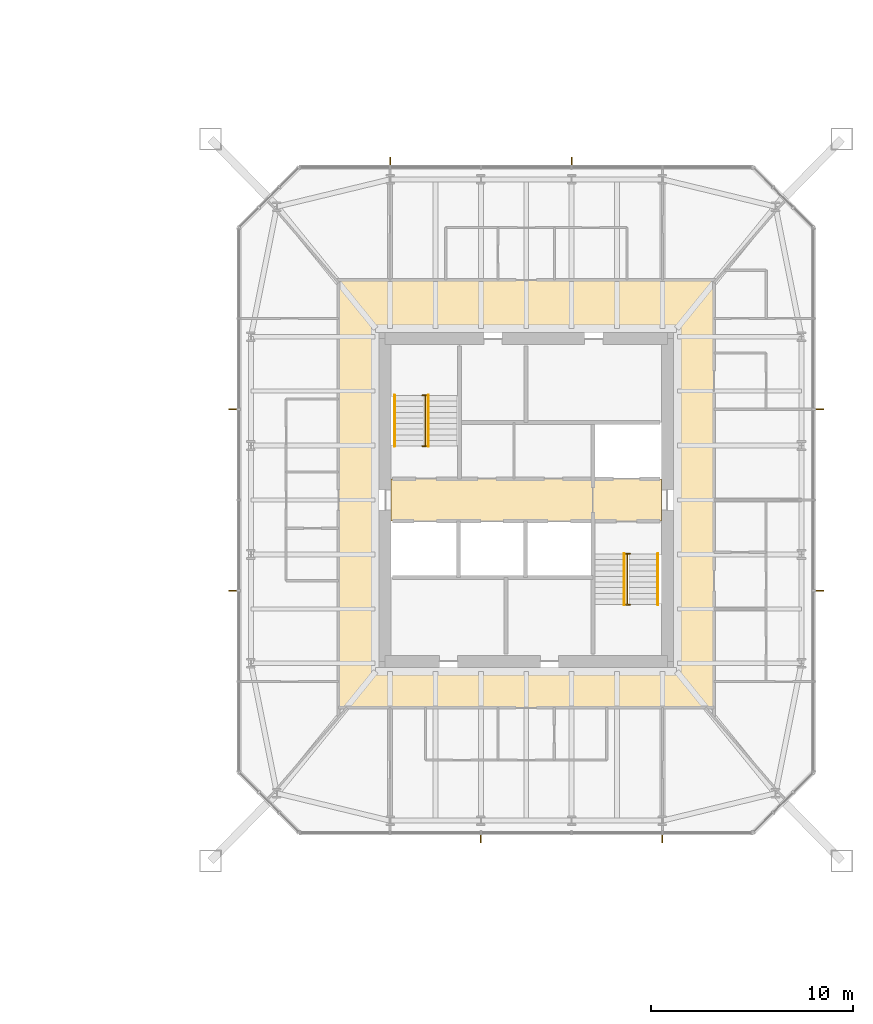
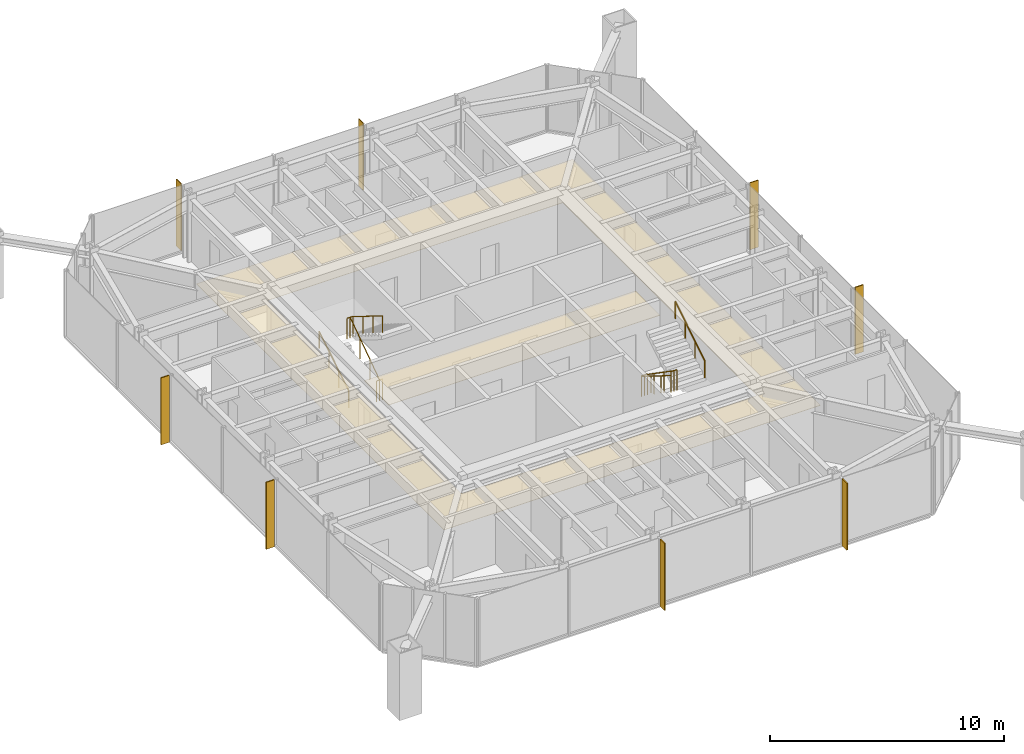
# One storey, part 25 of 25: 8 shading devices, 6 railings, 3 coverings.
"""IFC4 building model written with IfcOpenShell, lengths in metres."""

from ifc_helpers import new_model, si_unit, direction, frame, origin, origin_2d, place, context, subcontext, project, spatial, polyline, rectangle, circle, outline, extrude, material, layer, layer_set, constituent, constituent_set, type_object, element, save


model = new_model("IFC4")

# Units and contexts
model_context = context("Model", 3, precision=1e-05, world=origin(), true_north=direction((0.0, 1.0)))
body_context = subcontext(model_context, "Body", "Model", "MODEL_VIEW")
ifc_project = project(units=[si_unit("LENGTHUNIT", "METRE"), si_unit("AREAUNIT", "SQUARE_METRE"), si_unit("VOLUMEUNIT", "CUBIC_METRE"), si_unit("PLANEANGLEUNIT", "RADIAN"), si_unit("MASSUNIT", "GRAM", prefix="KILO")], contexts=[model_context])

# Site, building, storey
site_placement = place(None, origin())
site = spatial("IfcSite", under=ifc_project, at=site_placement, CompositionType="ELEMENT")
building_placement = place(site_placement, origin())
building = spatial("IfcBuilding", under=site, at=building_placement, Name="Iwan Alto Co-Living Towers", CompositionType="ELEMENT")
storey_placement = place(building_placement, frame((0.0, 0.0, 105.0)))
storey = spatial("IfcBuildingStorey", under=building, at=storey_placement, Name="L28", CompositionType="ELEMENT", Elevation=105.0)

# Coverings
ifc_material_1 = material(Name="Mineral fibre acoustic tiles on steel grid", Category="steel")
ifc_layer_1 = layer(ifc_material_1, 0.02001953125)
ifc_layer_set_1 = layer_set([ifc_layer_1], Name="ACOUSTIC TILE CEILING 20")
covering_type_1 = type_object("IfcCoveringType", Name="ACOUSTIC TILE CEILING 20", PredefinedType="CEILING", material=ifc_layer_set_1)
covering_1_placement = place(storey_placement, frame((0.0, 0.0, 2.60009765625)))
element("IfcCovering", 1, at=covering_1_placement, inside=storey, type_object=covering_type_1, Name="Ceiling Lift lobby L28", PredefinedType="CEILING", context=body_context, shape_type="SweptSolid", body=[
    extrude(outline(polyline([(56.300048828125, -1.050048828125), (56.300048828125, 1.050048828125), (66.300048828125, 1.050048828125), (66.300048828125, -1.050048828125), (56.300048828125, -1.050048828125)])), origin(), (0.0, 0.0, 1.0), 0.02001953125),
])
covering_2_placement = place(storey_placement, frame((0.0, 0.0, 2.60009765625)))
element("IfcCovering", 2, at=covering_2_placement, inside=storey, type_object=covering_type_1, Name="Ceiling Firefighting lobby L28", PredefinedType="CEILING", context=body_context, shape_type="SweptSolid", body=[
    extrude(outline(polyline([(66.300048828125, -1.050048828125), (66.300048828125, 1.050048828125), (69.699951171875, 1.050048828125), (69.699951171875, -1.050048828125), (66.300048828125, -1.050048828125)])), origin(), (0.0, 0.0, 1.0), 0.02001953125),
])

# Shading devices
ifc_material_2 = material(Name="Aluminium 6063-T6 bronze anodised", Category="aluminium")
ifc_layer_2 = layer(ifc_material_2, 0.050048828125)
ifc_layer_set_2 = layer_set([ifc_layer_2], Name="BRONZE FIN 50X400")
shading_device_type = type_object("IfcShadingDeviceType", Name="BRONZE FIN 50X400", PredefinedType="USERDEFINED", material=ifc_layer_set_2)
for number, where, z_axis, x_axis, name in (
    (3, (60.75, -16.800048828125, 0.0), (0.0, 0.0, 1.0), (1.0, 0.0, 0.0), "Bronze fin L28"),
    (4, (69.75, -16.800048828125, 0.0), (0.0, 0.0, 1.0), (1.0, 0.0, 0.0), "Bronze fin L28"),
    (5, (77.550048828125, -4.5, 0.0), (0.0, 0.0, 1.0), (0.0, 1.0, 0.0), "Bronze fin L28"),
    (6, (77.550048828125, 4.5, 0.0), (0.0, 0.0, 1.0), (0.0, 1.0, 0.0), "Bronze fin L28"),
    (7, (65.25, 16.800048828125, 0.0), (0.0, 0.0, 1.0), (-1.0, 0.0, 0.0), "Bronze fin L28"),
    (8, (56.25, 16.800048828125, 0.0), (0.0, 0.0, 1.0), (-1.0, 0.0, 0.0), "Bronze fin L28"),
    (9, (48.449951171875, 4.5, 0.0), (0.0, 0.0, 1.0), (0.0, -1.0, 0.0), "Bronze fin L28"),
    (10, (48.449951171875, -4.5, 0.0), (0.0, 0.0, 1.0), (0.0, -1.0, 0.0), "Bronze fin L28"),
):
    element("IfcShadingDevice", number, at=place(storey_placement, frame(where, z_axis=z_axis, x_axis=x_axis)), inside=storey, type_object=shading_device_type, Name=name, ObjectType="LOUVER", PredefinedType="USERDEFINED", context=body_context, shape_type="SweptSolid", body=[
        extrude(rectangle(XDim=0.050048828125, YDim=0.39990234375, at=origin_2d()), origin(), (0.0, 0.0, 1.0), 3.5),
    ])

# Railings
ifc_material_3 = material(Name="Steel ASTM A500 Gr C", Category="steel")
ifc_constituent_1 = constituent(ifc_material_3, Name="Rails and posts", Category="Framing")
ifc_material_4 = material(Name="Steel ASTM A36", Category="steel")
ifc_constituent_2 = constituent(ifc_material_4, Name="Bar infill", Category="Infill")
ifc_constituent_set = constituent_set(constituents=[ifc_constituent_1, ifc_constituent_2], Name="STAIR GUARD 1100")
railing_type_1 = type_object("IfcRailingType", Name="STAIR GUARD 1100", PredefinedType="GUARDRAIL", material=ifc_constituent_set)
railing_1_placement = place(storey_placement, frame((58.0, 2.669921875, 0.0)))
element("IfcRailing", 11, at=railing_1_placement, inside=storey, type_object=railing_type_1, Name="Stair T2-S1 well guard L28", PredefinedType="GUARDRAIL", context=body_context, shape_type="SweptSolid", body=[
    extrude(circle(Radius=0.02392578125, at=origin_2d()), frame((0.0, 0.0, 1.076171875), z_axis=(0.0, 0.821372036852, 0.570392826987), x_axis=(-1.0, 0.0, 0.0)), (0.0, 0.0, 1.0), 3.068115234375),
    extrude(circle(Radius=0.02392578125, at=origin_2d()), frame((-0.14990234375, 0.0, 1.076171875), z_axis=(1.0, 0.0, 0.0), x_axis=(0.0, 1.0, 0.0)), (0.0, 0.0, 1.0), 0.2998046875),
    extrude(circle(Radius=0.02392578125, at=origin_2d()), frame((-0.14990234375, 2.52001953125, 2.826171875), z_axis=(1.0, 0.0, 0.0), x_axis=(0.0, 1.0, 0.0)), (0.0, 0.0, 1.0), 0.2998046875),
    extrude(circle(Radius=0.02099609375, at=origin_2d()), origin(), (0.0, 0.0, 1.0), 1.052001953125),
    extrude(circle(Radius=0.02099609375, at=origin_2d()), frame((0.0, 0.840087890625, 0.583251953125)), (0.0, 0.0, 1.0), 1.052001953125),
    extrude(circle(Radius=0.02099609375, at=origin_2d()), frame((0.0, 1.679931640625, 1.166748046875)), (0.0, 0.0, 1.0), 1.052001953125),
    extrude(circle(Radius=0.02099609375, at=origin_2d()), frame((0.0, 2.52001953125, 1.75)), (0.0, 0.0, 1.0), 1.052001953125),
    extrude(circle(Radius=0.02099609375, at=origin_2d()), frame((-0.14990234375, 0.0, 0.0)), (0.0, 0.0, 1.0), 1.052001953125),
    extrude(circle(Radius=0.02099609375, at=origin_2d()), frame((0.14990234375, 0.0, 0.0)), (0.0, 0.0, 1.0), 1.052001953125),
    extrude(circle(Radius=0.02099609375, at=origin_2d()), frame((-0.14990234375, 2.52001953125, 1.75)), (0.0, 0.0, 1.0), 1.052001953125),
    extrude(circle(Radius=0.02099609375, at=origin_2d()), frame((0.14990234375, 2.52001953125, 1.75)), (0.0, 0.0, 1.0), 1.052001953125),
])
railing_2_placement = place(storey_placement, frame((68.0, -2.669921875, 0.0)))
element("IfcRailing", 12, at=railing_2_placement, inside=storey, type_object=railing_type_1, Name="Stair T2-S2 well guard L28", PredefinedType="GUARDRAIL", context=body_context, shape_type="SweptSolid", body=[
    extrude(circle(Radius=0.02392578125, at=origin_2d()), frame((0.0, 0.0, 1.076171875), z_axis=(0.0, -0.821372036852, 0.570392826987), x_axis=(1.0, 0.0, 0.0)), (0.0, 0.0, 1.0), 3.068115234375),
    extrude(circle(Radius=0.02392578125, at=origin_2d()), frame((-0.14990234375, 0.0, 1.076171875), z_axis=(1.0, 0.0, 0.0), x_axis=(0.0, 1.0, 0.0)), (0.0, 0.0, 1.0), 0.2998046875),
    extrude(circle(Radius=0.02392578125, at=origin_2d()), frame((-0.14990234375, -2.52001953125, 2.826171875), z_axis=(1.0, 0.0, 0.0), x_axis=(0.0, 1.0, 0.0)), (0.0, 0.0, 1.0), 0.2998046875),
    extrude(circle(Radius=0.02099609375, at=origin_2d()), origin(), (0.0, 0.0, 1.0), 1.052001953125),
    extrude(circle(Radius=0.02099609375, at=origin_2d()), frame((0.0, -0.840087890625, 0.583251953125)), (0.0, 0.0, 1.0), 1.052001953125),
    extrude(circle(Radius=0.02099609375, at=origin_2d()), frame((0.0, -1.679931640625, 1.166748046875)), (0.0, 0.0, 1.0), 1.052001953125),
    extrude(circle(Radius=0.02099609375, at=origin_2d()), frame((0.0, -2.52001953125, 1.75)), (0.0, 0.0, 1.0), 1.052001953125),
    extrude(circle(Radius=0.02099609375, at=origin_2d()), frame((-0.14990234375, 0.0, 0.0)), (0.0, 0.0, 1.0), 1.052001953125),
    extrude(circle(Radius=0.02099609375, at=origin_2d()), frame((0.14990234375, 0.0, 0.0)), (0.0, 0.0, 1.0), 1.052001953125),
    extrude(circle(Radius=0.02099609375, at=origin_2d()), frame((-0.14990234375, -2.52001953125, 1.75)), (0.0, 0.0, 1.0), 1.052001953125),
    extrude(circle(Radius=0.02099609375, at=origin_2d()), frame((0.14990234375, -2.52001953125, 1.75)), (0.0, 0.0, 1.0), 1.052001953125),
])
ifc_material_5 = material(Name="Steel ASTM A500 Gr C", Category="steel")
railing_type_2 = type_object("IfcRailingType", Name="STAIR HANDRAIL 900", PredefinedType="HANDRAIL", material=ifc_material_5)
railing_3_placement = place(storey_placement, frame((56.469970703125, 2.669921875, 0.175048828125)))
element("IfcRailing", 13, at=railing_3_placement, inside=storey, type_object=railing_type_2, Name="Stair T2-S1 handrail 1 L28", PredefinedType="HANDRAIL", context=body_context, shape_type="SweptSolid", body=[
    extrude(circle(Radius=0.02392578125, at=origin_2d()), frame((0.0, 0.0, 0.8759765625), z_axis=(0.0, 0.848007534815, 0.529984170421), x_axis=(-1.0, 0.0, 0.0)), (0.0, 0.0, 1.0), 2.9716796875),
    extrude(circle(Radius=0.02099609375, at=origin_2d()), origin(), (0.0, 0.0, 1.0), 0.851806640625),
    extrude(circle(Radius=0.02099609375, at=origin_2d()), frame((0.0, 0.840087890625, 0.52490234375)), (0.0, 0.0, 1.0), 0.851806640625),
    extrude(circle(Radius=0.02099609375, at=origin_2d()), frame((0.0, 1.679931640625, 1.050048828125)), (0.0, 0.0, 1.0), 0.851806640625),
    extrude(circle(Radius=0.02099609375, at=origin_2d()), frame((0.0, 2.52001953125, 1.574951171875)), (0.0, 0.0, 1.0), 0.851806640625),
])
for number, where, name in (
    (14, (58.14990234375, 5.18994140625, 1.925048828125), "Stair T2-S1 handrail 2 L28"),
    (15, (67.85009765625, -2.669921875, 0.175048828125), "Stair T2-S2 handrail 1 L28"),
):
    element("IfcRailing", number, at=place(storey_placement, frame(where)), inside=storey, type_object=railing_type_2, Name=name, PredefinedType="HANDRAIL", context=body_context, shape_type="SweptSolid", body=[
        extrude(circle(Radius=0.02392578125, at=origin_2d()), frame((0.0, 0.0, 0.8759765625), z_axis=(0.0, -0.848007534815, 0.529984170421), x_axis=(1.0, 0.0, 0.0)), (0.0, 0.0, 1.0), 2.9716796875),
        extrude(circle(Radius=0.02099609375, at=origin_2d()), origin(), (0.0, 0.0, 1.0), 0.851806640625),
        extrude(circle(Radius=0.02099609375, at=origin_2d()), frame((0.0, -0.840087890625, 0.52490234375)), (0.0, 0.0, 1.0), 0.851806640625),
        extrude(circle(Radius=0.02099609375, at=origin_2d()), frame((0.0, -1.679931640625, 1.050048828125)), (0.0, 0.0, 1.0), 0.851806640625),
        extrude(circle(Radius=0.02099609375, at=origin_2d()), frame((0.0, -2.52001953125, 1.574951171875)), (0.0, 0.0, 1.0), 0.851806640625),
    ])
railing_4_placement = place(storey_placement, frame((69.530029296875, -5.18994140625, 1.925048828125)))
element("IfcRailing", 16, at=railing_4_placement, inside=storey, type_object=railing_type_2, Name="Stair T2-S2 handrail 2 L28", PredefinedType="HANDRAIL", context=body_context, shape_type="SweptSolid", body=[
    extrude(circle(Radius=0.02392578125, at=origin_2d()), frame((0.0, 0.0, 0.8759765625), z_axis=(0.0, 0.848007534815, 0.529984170421), x_axis=(-1.0, 0.0, 0.0)), (0.0, 0.0, 1.0), 2.9716796875),
    extrude(circle(Radius=0.02099609375, at=origin_2d()), origin(), (0.0, 0.0, 1.0), 0.851806640625),
    extrude(circle(Radius=0.02099609375, at=origin_2d()), frame((0.0, 0.840087890625, 0.52490234375)), (0.0, 0.0, 1.0), 0.851806640625),
    extrude(circle(Radius=0.02099609375, at=origin_2d()), frame((0.0, 1.679931640625, 1.050048828125)), (0.0, 0.0, 1.0), 0.851806640625),
    extrude(circle(Radius=0.02099609375, at=origin_2d()), frame((0.0, 2.52001953125, 1.574951171875)), (0.0, 0.0, 1.0), 0.851806640625),
])

# Covering
ifc_material_6 = material(Name="Gypsum plasterboard on steel grid", Category="steel")
ifc_layer_3 = layer(ifc_material_6, 0.014892578125)
ifc_layer_set_3 = layer_set([ifc_layer_3], Name="SUSPENDED PLASTERBOARD CEILING 15")
covering_type_2 = type_object("IfcCoveringType", Name="SUSPENDED PLASTERBOARD CEILING 15", PredefinedType="CEILING", material=ifc_layer_set_3)
covering_3_placement = place(storey_placement, frame((0.0, 0.0, 2.60009765625)))
element("IfcCovering", 17, at=covering_3_placement, inside=storey, type_object=covering_type_2, Name="Ceiling Corridor L28", PredefinedType="CEILING", context=body_context, shape_type="SweptSolid", body=[
    extrude(outline(polyline([(53.699951171875, 10.89990234375), (72.300048828125, 10.89990234375), (72.300048828125, -10.300048828125), (53.699951171875, -10.300048828125), (53.699951171875, 10.89990234375)]), holes=[polyline([(55.699951171875, 8.300048828125), (55.699951171875, -8.300048828125), (70.300048828125, -8.300048828125), (70.300048828125, 8.300048828125), (55.699951171875, 8.300048828125)])]), origin(), (0.0, 0.0, 1.0), 0.014892578125),
])

save(model, "model.ifc")
